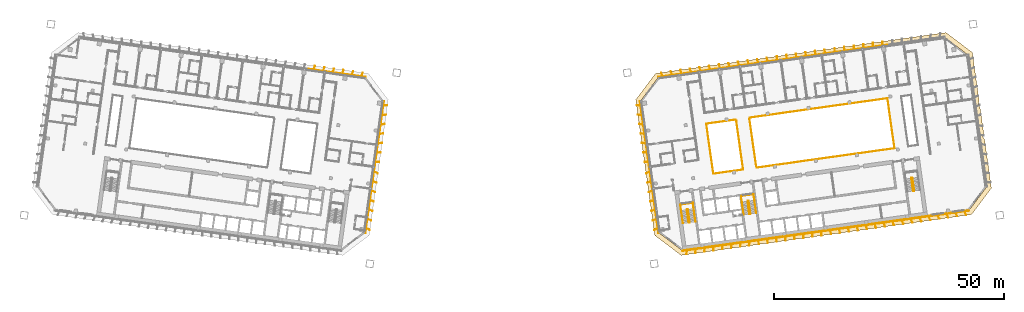
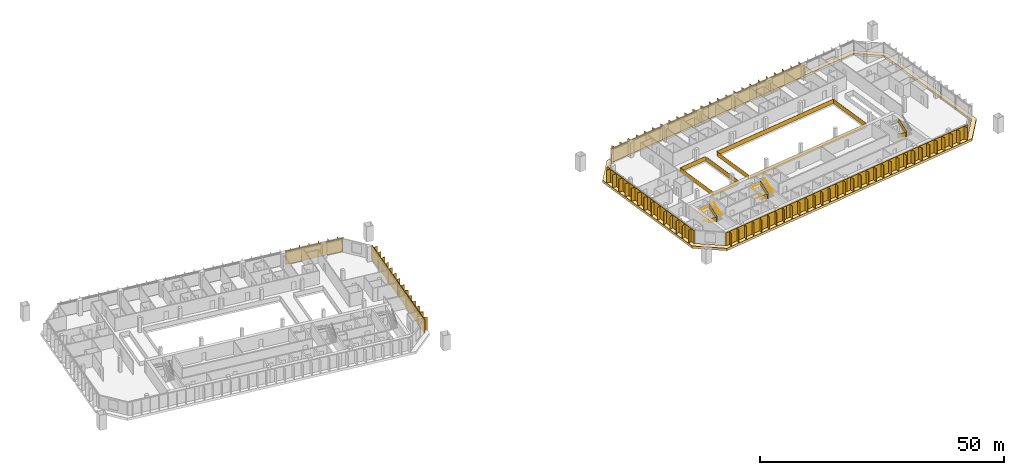
# One storey, part 25 of 26: 13 shading devices, 9 railings, 1 covering.
"""IFC4 building model written with IfcOpenShell, lengths in metres."""

from ifc_helpers import new_model, si_unit, direction, frame, origin, origin_2d, place, context, subcontext, project, spatial, polyline, rectangle, outline, extrude, material, layer, layer_set, type_object, element, save


model = new_model("IFC4")

# Units and contexts
model_context = context("Model", 3, precision=1e-05, world=origin(), true_north=direction((0.0, 1.0)))
body_context = subcontext(model_context, "Body", "Model", "MODEL_VIEW")
ifc_project = project(units=[si_unit("LENGTHUNIT", "METRE"), si_unit("AREAUNIT", "SQUARE_METRE"), si_unit("VOLUMEUNIT", "CUBIC_METRE"), si_unit("PLANEANGLEUNIT", "RADIAN"), si_unit("MASSUNIT", "GRAM", prefix="KILO")], contexts=[model_context])

# Site, building, storey
site_placement = place(None, origin())
site = spatial("IfcSite", under=ifc_project, at=site_placement, CompositionType="ELEMENT")
building_placement = place(site_placement, origin())
building = spatial("IfcBuilding", under=site, at=building_placement, Name="Mirante Cascada Hotel Towers", CompositionType="ELEMENT")
storey_placement = place(building_placement, frame((0.0, 0.0, 140.5)))
storey = spatial("IfcBuildingStorey", under=building, at=storey_placement, Name="L32", CompositionType="ELEMENT", Elevation=140.5)

# Railings
ifc_material_1 = material(Name="Toughened glass with stainless steel handrail", Category="steel")
railing_type_1 = type_object("IfcRailingType", Name="Atrium guard 1100 glass balustrade", PredefinedType="GUARDRAIL", material=ifc_material_1)
railing_1_placement = place(storey_placement, frame((48.76, 8.3112, 0.0)))
element("IfcRailing", 1, at=railing_1_placement, inside=storey, type_object=railing_type_1, Name="GUARD 2-L32-1", PredefinedType="GUARDRAIL", context=body_context, shape_type="SweptSolid", body=[
    extrude(rectangle(XDim=0.048, YDim=0.048, at=origin_2d()), frame((0.0, 0.0, 1.076), z_axis=(-0.9902694, -0.1391638, 0.0), x_axis=(0.1391638, -0.9902694, 0.0)), (0.0, 0.0, 1.0), 6.5125),
    extrude(rectangle(XDim=0.02, YDim=1.052, at=origin_2d()), frame((0.0, 0.0, 0.526), z_axis=(-0.9902694, -0.1391638, 0.0), x_axis=(0.1391638, -0.9902694, 0.0)), (0.0, 0.0, 1.0), 6.5125),
    extrude(rectangle(XDim=0.048, YDim=0.048, at=origin_2d()), frame((-6.4491, -0.9063, 1.076), z_axis=(0.1391721, -0.9902682, 0.0), x_axis=(0.9902682, 0.1391721, 0.0)), (0.0, 0.0, 1.0), 11.0001),
    extrude(rectangle(XDim=0.02, YDim=1.052, at=origin_2d()), frame((-6.4491, -0.9063, 0.526), z_axis=(0.1391721, -0.9902682, 0.0), x_axis=(0.9902682, 0.1391721, 0.0)), (0.0, 0.0, 1.0), 11.0001),
    extrude(rectangle(XDim=0.048, YDim=0.048, at=origin_2d()), frame((-4.9182, -11.7993, 1.076), z_axis=(0.9902673, 0.1391788, 0.0), x_axis=(-0.1391788, 0.9902673, 0.0)), (0.0, 0.0, 1.0), 6.5125),
    extrude(rectangle(XDim=0.02, YDim=1.052, at=origin_2d()), frame((-4.9182, -11.7993, 0.526), z_axis=(0.9902673, 0.1391788, 0.0), x_axis=(-0.1391788, 0.9902673, 0.0)), (0.0, 0.0, 1.0), 6.5125),
])
railing_2_placement = place(storey_placement, frame((53.2617, -2.1642, 0.0)))
element("IfcRailing", 2, at=railing_2_placement, inside=storey, type_object=railing_type_1, Name="GUARD 2-L32-2", PredefinedType="GUARDRAIL", context=body_context, shape_type="SweptSolid", body=[
    extrude(rectangle(XDim=0.048, YDim=0.048, at=origin_2d()), frame((0.0, 0.0, 1.076), z_axis=(0.9902682, 0.1391722, 0.0), x_axis=(-0.1391722, 0.9902682, 0.0)), (0.0, 0.0, 1.0), 30.325),
    extrude(rectangle(XDim=0.02, YDim=1.052, at=origin_2d()), frame((0.0, 0.0, 0.526), z_axis=(0.9902682, 0.1391722, 0.0), x_axis=(-0.1391722, 0.9902682, 0.0)), (0.0, 0.0, 1.0), 30.325),
    extrude(rectangle(XDim=0.048, YDim=0.048, at=origin_2d()), frame((30.0299, 4.2204, 1.076), z_axis=(-0.1391721, 0.9902682, 0.0), x_axis=(-0.9902682, -0.1391721, 0.0)), (0.0, 0.0, 1.0), 11.0001),
    extrude(rectangle(XDim=0.02, YDim=1.052, at=origin_2d()), frame((30.0299, 4.2204, 0.526), z_axis=(-0.1391721, 0.9902682, 0.0), x_axis=(-0.9902682, -0.1391721, 0.0)), (0.0, 0.0, 1.0), 11.0001),
    extrude(rectangle(XDim=0.048, YDim=0.048, at=origin_2d()), frame((28.499, 15.1134, 1.076), z_axis=(-0.9902682, -0.1391722, 0.0), x_axis=(0.1391722, -0.9902682, 0.0)), (0.0, 0.0, 1.0), 30.325),
    extrude(rectangle(XDim=0.02, YDim=1.052, at=origin_2d()), frame((28.499, 15.1134, 0.526), z_axis=(-0.9902682, -0.1391722, 0.0), x_axis=(0.1391722, -0.9902682, 0.0)), (0.0, 0.0, 1.0), 30.325),
])
railing_3_placement = place(storey_placement, frame((50.2983, -2.2822, 0.0)))
element("IfcRailing", 3, at=railing_3_placement, inside=storey, type_object=railing_type_1, Name="GUARD 2-L32-4", PredefinedType="GUARDRAIL", context=body_context, shape_type="SweptSolid", body=[
    extrude(rectangle(XDim=0.048, YDim=0.048, at=origin_2d()), frame((0.0, 0.0, 1.076), z_axis=(-0.1391708, 0.9902684, 0.0), x_axis=(-0.9902684, -0.1391708, 0.0)), (0.0, 0.0, 1.0), 10.4088),
    extrude(rectangle(XDim=0.02, YDim=1.052, at=origin_2d()), frame((0.0, 0.0, 0.526), z_axis=(-0.1391708, 0.9902684, 0.0), x_axis=(-0.9902684, -0.1391708, 0.0)), (0.0, 0.0, 1.0), 10.4088),
])
railing_4_placement = place(storey_placement, frame((51.7234, 8.4292, 0.0)))
element("IfcRailing", 4, at=railing_4_placement, inside=storey, type_object=railing_type_1, Name="GUARD 2-L32-5", PredefinedType="GUARDRAIL", context=body_context, shape_type="SweptSolid", body=[
    extrude(rectangle(XDim=0.048, YDim=0.048, at=origin_2d()), frame((0.0, 0.0, 1.076), z_axis=(0.1391721, -0.9902682, 0.0), x_axis=(0.9902682, 0.1391721, 0.0)), (0.0, 0.0, 1.0), 10.4087),
    extrude(rectangle(XDim=0.02, YDim=1.052, at=origin_2d()), frame((0.0, 0.0, 0.526), z_axis=(0.1391721, -0.9902682, 0.0), x_axis=(0.9902682, 0.1391721, 0.0)), (0.0, 0.0, 1.0), 10.4087),
])

# Covering
ifc_material_2 = material(Name="Precast concrete C40/50 white", Category="concrete")
ifc_layer = layer(ifc_material_2, 0.6)
ifc_layer_set = layer_set([ifc_layer], Name="Precast concrete SUNSHADE band 1000x600")
covering_type = type_object("IfcCoveringType", Name="Precast concrete SUNSHADE band 1000x600", PredefinedType="CLADDING", material=ifc_layer_set)
covering_placement = place(storey_placement, frame((0.0, 0.0, -0.45)))
element("IfcCovering", 5, at=covering_placement, inside=storey, type_object=covering_type, Name="Precast concrete SUNSHADE band T2 L32", PredefinedType="CLADDING", context=body_context, shape_type="SweptSolid", body=[
    extrude(outline(polyline([(26.9341, 12.6299), (31.2626, 18.374), (94.4698, 27.2572), (100.2139, 22.9287), (101.7167, 12.2359), (101.7081, 12.2295), (101.673, 12.198), (101.6413, 12.1633), (101.6131, 12.1255), (101.5887, 12.0852), (101.5684, 12.0427), (101.5524, 11.9984), (101.5407, 11.9528), (101.5337, 11.9062), (101.5312, 11.8592), (101.5333, 11.8121), (101.5557, 11.5756), (101.5624, 11.529), (101.5737, 11.4833), (101.5894, 11.4389), (101.6094, 11.3962), (101.6335, 11.3557), (101.6614, 11.3178), (101.6929, 11.2828), (101.7277, 11.251), (101.7654, 11.2228), (101.8057, 11.1984), (101.8482, 11.1781), (101.8663, 11.1716), (102.7129, 5.1477), (102.6973, 5.1364), (102.662, 5.1052), (102.63, 5.0707), (102.6015, 5.0332), (102.5768, 4.993), (102.5562, 4.9507), (102.5398, 4.9065), (102.5279, 4.861), (102.5204, 4.8144), (102.5176, 4.7674), (102.5193, 4.7204), (102.5257, 4.6737), (102.5694, 4.4402), (102.5803, 4.3944), (102.5956, 4.3498), (102.6153, 4.307), (102.639, 4.2664), (102.6667, 4.2282), (102.6979, 4.1929), (102.7324, 4.1609), (102.7699, 4.1324), (102.8101, 4.1077), (102.8524, 4.0871), (102.8625, 4.0834), (104.3652, -6.6094), (100.0367, -12.3535), (36.8295, -21.2367), (31.0854, -16.9082), (26.9341, 12.6299)]), holes=[polyline([(103.3173, -6.3384), (99.2813, 22.3794), (94.1988, 26.2093), (31.8119, 17.4414), (27.982, 12.3589), (32.018, -16.3589), (37.1005, -20.1888), (99.4874, -11.4209), (103.3173, -6.3384)])]), origin(), (0.0, 0.0, 1.0), 0.6),
])

# Railings
ifc_material_3 = material(Name="Painted steel", Category="steel")
railing_type_2 = type_object("IfcRailingType", Name="Stair guard 1100 steel balustrade", PredefinedType="GUARDRAIL", material=ifc_material_3)
railing_5_placement = place(storey_placement, frame((38.2663, -11.2395, 0.0)))
element("IfcRailing", 6, at=railing_5_placement, inside=storey, type_object=railing_type_2, Name="L32 ST2-A stair guard 1", PredefinedType="GUARDRAIL", context=body_context, shape_type="SweptSolid", body=[
    extrude(rectangle(XDim=0.048, YDim=0.048, at=origin_2d()), frame((0.0, 0.0, 1.076), z_axis=(-0.9903326, -0.1387133, 0.0), x_axis=(0.1387133, -0.9903326, 0.0)), (0.0, 0.0, 1.0), 0.1499),
    extrude(rectangle(XDim=0.02, YDim=1.052, at=origin_2d()), frame((0.0, 0.0, 0.526), z_axis=(-0.9903326, -0.1387133, 0.0), x_axis=(0.1387133, -0.9903326, 0.0)), (0.0, 0.0, 1.0), 0.1499),
    extrude(rectangle(XDim=0.048, YDim=0.048, at=origin_2d()), frame((-0.1485, -0.0208, 1.076), z_axis=(-0.6020331, -0.7984711, 0.0), x_axis=(0.7984711, -0.6020331, 0.0)), (0.0, 0.9253398, 0.3791387), 0.1866),
    extrude(rectangle(XDim=0.02, YDim=1.052, at=origin_2d()), frame((-0.1485, -0.0208, 0.526), z_axis=(-0.6020331, -0.7984711, 0.0), x_axis=(0.7984711, -0.6020331, 0.0)), (0.0, 0.9253398, 0.3791387), 0.1866),
    extrude(rectangle(XDim=0.048, YDim=0.048, at=origin_2d()), frame((-0.1911, -0.0773, 1.2487), z_axis=(0.139176, -0.9902677, 0.0), x_axis=(0.9902677, 0.139176, 0.0)), (0.0, 0.5250212, 0.8510891), 3.29),
    extrude(rectangle(XDim=0.02, YDim=1.052, at=origin_2d()), frame((-0.1911, -0.0773, 0.6987), z_axis=(0.139176, -0.9902677, 0.0), x_axis=(0.9902677, 0.139176, 0.0)), (0.0, 0.5250212, 0.8510891), 3.29),
    extrude(rectangle(XDim=0.048, YDim=0.048, at=origin_2d()), frame((0.1986, -2.8501, 2.976), z_axis=(0.9944948, -0.1047858, 0.0), x_axis=(0.1047858, 0.9944948, 0.0)), (0.0, 0.0, 1.0), 0.2061),
    extrude(rectangle(XDim=0.02, YDim=1.052, at=origin_2d()), frame((0.1986, -2.8501, 2.426), z_axis=(0.9944948, -0.1047858, 0.0), x_axis=(0.1047858, 0.9944948, 0.0)), (0.0, 0.0, 1.0), 0.2061),
    extrude(rectangle(XDim=0.048, YDim=0.048, at=origin_2d()), frame((0.4036, -2.8717, 2.976), z_axis=(-0.9902408, -0.1393672, 0.0), x_axis=(0.1393672, -0.9902408, 0.0)), (0.0, 0.0, 1.0), 0.15),
    extrude(rectangle(XDim=0.02, YDim=1.052, at=origin_2d()), frame((0.4036, -2.8717, 2.426), z_axis=(-0.9902408, -0.1393672, 0.0), x_axis=(0.1393672, -0.9902408, 0.0)), (0.0, 0.0, 1.0), 0.15),
    extrude(rectangle(XDim=0.048, YDim=0.048, at=origin_2d()), frame((0.2551, -2.8926, 2.976), z_axis=(0.9270311, 0.3749843, 0.0), x_axis=(-0.3749843, 0.9270311, 0.0)), (0.0, 0.6421903, 0.7665452), 0.2689),
    extrude(rectangle(XDim=0.02, YDim=1.052, at=origin_2d()), frame((0.2551, -2.8926, 2.426), z_axis=(0.9270311, 0.3749843, 0.0), x_axis=(-0.3749843, 0.9270311, 0.0)), (0.0, 0.6421903, 0.7665452), 0.2689),
    extrude(rectangle(XDim=0.048, YDim=0.048, at=origin_2d()), frame((0.4462, -2.8153, 3.1487), z_axis=(-0.139176, 0.9902677, 0.0), x_axis=(-0.9902677, -0.139176, 0.0)), (0.0, 0.5250212, 0.8510891), 3.29),
    extrude(rectangle(XDim=0.02, YDim=1.052, at=origin_2d()), frame((0.4462, -2.8153, 2.5987), z_axis=(-0.139176, 0.9902677, 0.0), x_axis=(-0.9902677, -0.139176, 0.0)), (0.0, 0.5250212, 0.8510891), 3.29),
])
railing_6_placement = place(storey_placement, frame((51.4864, -9.3815, 0.0)))
element("IfcRailing", 7, at=railing_6_placement, inside=storey, type_object=railing_type_2, Name="L32 ST2-B stair guard 1", PredefinedType="GUARDRAIL", context=body_context, shape_type="SweptSolid", body=[
    extrude(rectangle(XDim=0.048, YDim=0.048, at=origin_2d()), frame((0.0, 0.0, 1.076), z_axis=(-0.9902408, -0.1393672, 0.0), x_axis=(0.1393672, -0.9902408, 0.0)), (0.0, 0.0, 1.0), 0.15),
    extrude(rectangle(XDim=0.02, YDim=1.052, at=origin_2d()), frame((0.0, 0.0, 0.526), z_axis=(-0.9902408, -0.1393672, 0.0), x_axis=(0.1393672, -0.9902408, 0.0)), (0.0, 0.0, 1.0), 0.15),
    extrude(rectangle(XDim=0.048, YDim=0.048, at=origin_2d()), frame((-0.1485, -0.0209, 1.076), z_axis=(-0.6020331, -0.7984711, 0.0), x_axis=(0.7984711, -0.6020331, 0.0)), (0.0, 0.9253398, 0.3791387), 0.1866),
    extrude(rectangle(XDim=0.02, YDim=1.052, at=origin_2d()), frame((-0.1485, -0.0209, 0.526), z_axis=(-0.6020331, -0.7984711, 0.0), x_axis=(0.7984711, -0.6020331, 0.0)), (0.0, 0.9253398, 0.3791387), 0.1866),
    extrude(rectangle(XDim=0.048, YDim=0.048, at=origin_2d()), frame((-0.1911, -0.0774, 1.2487), z_axis=(0.139181, -0.990267, 0.0), x_axis=(0.990267, 0.139181, 0.0)), (0.0, 0.5250347, 0.8510808), 3.2899),
    extrude(rectangle(XDim=0.02, YDim=1.052, at=origin_2d()), frame((-0.1911, -0.0774, 0.6987), z_axis=(0.139181, -0.990267, 0.0), x_axis=(0.990267, 0.139181, 0.0)), (0.0, 0.5250347, 0.8510808), 3.2899),
    extrude(rectangle(XDim=0.048, YDim=0.048, at=origin_2d()), frame((0.1986, -2.8501, 2.976), z_axis=(0.9944441, -0.1052656, 0.0), x_axis=(0.1052656, 0.9944441, 0.0)), (0.0, 0.0, 1.0), 0.2061),
    extrude(rectangle(XDim=0.02, YDim=1.052, at=origin_2d()), frame((0.1986, -2.8501, 2.426), z_axis=(0.9944441, -0.1052656, 0.0), x_axis=(0.1052656, 0.9944441, 0.0)), (0.0, 0.0, 1.0), 0.2061),
    extrude(rectangle(XDim=0.048, YDim=0.048, at=origin_2d()), frame((0.4036, -2.8718, 2.976), z_axis=(-0.9902408, -0.1393672, 0.0), x_axis=(0.1393672, -0.9902408, 0.0)), (0.0, 0.0, 1.0), 0.15),
    extrude(rectangle(XDim=0.02, YDim=1.052, at=origin_2d()), frame((0.4036, -2.8718, 2.426), z_axis=(-0.9902408, -0.1393672, 0.0), x_axis=(0.1393672, -0.9902408, 0.0)), (0.0, 0.0, 1.0), 0.15),
    extrude(rectangle(XDim=0.048, YDim=0.048, at=origin_2d()), frame((0.2551, -2.8927, 2.976), z_axis=(0.9268624, 0.3754011, 0.0), x_axis=(-0.3754011, 0.9268624, 0.0)), (0.0, 0.6421217, 0.7666028), 0.269),
    extrude(rectangle(XDim=0.02, YDim=1.052, at=origin_2d()), frame((0.2551, -2.8927, 2.426), z_axis=(0.9268624, 0.3754011, 0.0), x_axis=(-0.3754011, 0.9268624, 0.0)), (0.0, 0.6421217, 0.7666028), 0.269),
    extrude(rectangle(XDim=0.048, YDim=0.048, at=origin_2d()), frame((0.4462, -2.8153, 3.1487), z_axis=(-0.139181, 0.990267, 0.0), x_axis=(-0.990267, -0.139181, 0.0)), (0.0, 0.5250347, 0.8510808), 3.2899),
    extrude(rectangle(XDim=0.02, YDim=1.052, at=origin_2d()), frame((0.4462, -2.8153, 2.5987), z_axis=(-0.139181, 0.990267, 0.0), x_axis=(-0.990267, -0.139181, 0.0)), (0.0, 0.5250347, 0.8510808), 3.2899),
])
railing_7_placement = place(storey_placement, frame((87.1361, -4.3713, 0.0)))
element("IfcRailing", 8, at=railing_7_placement, inside=storey, type_object=railing_type_2, Name="L32 ST2-C stair guard 1", PredefinedType="GUARDRAIL", context=body_context, shape_type="SweptSolid", body=[
    extrude(rectangle(XDim=0.048, YDim=0.048, at=origin_2d()), frame((0.0, 0.0, 1.076), z_axis=(-0.9902537, -0.1392753, 0.0), x_axis=(0.1392753, -0.9902537, 0.0)), (0.0, 0.0, 1.0), 0.1501),
    extrude(rectangle(XDim=0.02, YDim=1.052, at=origin_2d()), frame((0.0, 0.0, 0.526), z_axis=(-0.9902537, -0.1392753, 0.0), x_axis=(0.1392753, -0.9902537, 0.0)), (0.0, 0.0, 1.0), 0.1501),
    extrude(rectangle(XDim=0.048, YDim=0.048, at=origin_2d()), frame((-0.1486, -0.0209, 1.076), z_axis=(-0.601811, -0.7986386, 0.0), x_axis=(0.7986386, -0.601811, 0.0)), (0.0, 0.925603, 0.3784959), 0.1866),
    extrude(rectangle(XDim=0.02, YDim=1.052, at=origin_2d()), frame((-0.1486, -0.0209, 0.526), z_axis=(-0.601811, -0.7986386, 0.0), x_axis=(0.7986386, -0.601811, 0.0)), (0.0, 0.925603, 0.3784959), 0.1866),
    extrude(rectangle(XDim=0.048, YDim=0.048, at=origin_2d()), frame((-0.1911, -0.0773, 1.2487), z_axis=(0.139176, -0.9902677, 0.0), x_axis=(0.9902677, 0.139176, 0.0)), (0.0, 0.5250212, 0.8510891), 3.29),
    extrude(rectangle(XDim=0.02, YDim=1.052, at=origin_2d()), frame((-0.1911, -0.0773, 0.6987), z_axis=(0.139176, -0.9902677, 0.0), x_axis=(0.9902677, 0.139176, 0.0)), (0.0, 0.5250212, 0.8510891), 3.29),
    extrude(rectangle(XDim=0.048, YDim=0.048, at=origin_2d()), frame((0.1986, -2.8501, 2.976), z_axis=(0.9944441, -0.1052656, 0.0), x_axis=(0.1052656, 0.9944441, 0.0)), (0.0, 0.0, 1.0), 0.2061),
    extrude(rectangle(XDim=0.02, YDim=1.052, at=origin_2d()), frame((0.1986, -2.8501, 2.426), z_axis=(0.9944441, -0.1052656, 0.0), x_axis=(0.1052656, 0.9944441, 0.0)), (0.0, 0.0, 1.0), 0.2061),
    extrude(rectangle(XDim=0.048, YDim=0.048, at=origin_2d()), frame((0.4036, -2.8718, 2.976), z_axis=(-0.9903454, -0.1386217, 0.0), x_axis=(0.1386217, -0.9903454, 0.0)), (0.0, 0.0, 1.0), 0.15),
    extrude(rectangle(XDim=0.02, YDim=1.052, at=origin_2d()), frame((0.4036, -2.8718, 2.426), z_axis=(-0.9903454, -0.1386217, 0.0), x_axis=(0.1386217, -0.9903454, 0.0)), (0.0, 0.0, 1.0), 0.15),
    extrude(rectangle(XDim=0.048, YDim=0.048, at=origin_2d()), frame((0.255, -2.8926, 2.976), z_axis=(0.9270311, 0.3749843, 0.0), x_axis=(-0.3749843, 0.9270311, 0.0)), (0.0, 0.6421903, 0.7665452), 0.2689),
    extrude(rectangle(XDim=0.02, YDim=1.052, at=origin_2d()), frame((0.255, -2.8926, 2.426), z_axis=(0.9270311, 0.3749843, 0.0), x_axis=(-0.3749843, 0.9270311, 0.0)), (0.0, 0.6421903, 0.7665452), 0.2689),
    extrude(rectangle(XDim=0.048, YDim=0.048, at=origin_2d()), frame((0.4461, -2.8153, 3.1487), z_axis=(-0.139176, 0.9902677, 0.0), x_axis=(-0.9902677, -0.139176, 0.0)), (0.0, 0.5250212, 0.8510891), 3.29),
    extrude(rectangle(XDim=0.02, YDim=1.052, at=origin_2d()), frame((0.4461, -2.8153, 2.5987), z_axis=(-0.139176, 0.9902677, 0.0), x_axis=(-0.9902677, -0.139176, 0.0)), (0.0, 0.5250212, 0.8510891), 3.29),
])
ifc_material_4 = material(Name="Painted steel", Category="steel")
railing_type_3 = type_object("IfcRailingType", Name="Stair handrail 900 steel tube", PredefinedType="HANDRAIL", material=ifc_material_4)
railing_8_placement = place(storey_placement, frame((36.8374, -11.4908, 0.1727)))
element("IfcRailing", 9, at=railing_8_placement, inside=storey, type_object=railing_type_3, Name="L32 ST2-A stair handrail 1", PredefinedType="HANDRAIL", context=body_context, shape_type="SweptSolid", body=[
    extrude(rectangle(XDim=0.048, YDim=0.048, at=origin_2d()), frame((0.0, 0.0, 0.876), z_axis=(0.139181, -0.990267, 0.0), x_axis=(0.990267, 0.139181, 0.0)), (0.0, 0.5250347, 0.8510808), 3.2899),
    extrude(rectangle(XDim=0.048, YDim=0.048, at=origin_2d()), frame((0.3897, -2.7727, 2.6033), z_axis=(-0.1391707, 0.9902684, 0.0), x_axis=(-0.9902684, -0.1391707, 0.0)), (0.0, 0.0420846, 0.999114), 4.1036),
    extrude(rectangle(XDim=0.048, YDim=0.048, at=origin_2d()), frame((-0.1809, 1.2874, 2.776), z_axis=(0.9902691, 0.1391657, 0.0), x_axis=(-0.1391657, 0.9902691, 0.0)), (0.0, 0.0, 1.0), 2.75),
    extrude(rectangle(XDim=0.048, YDim=0.048, at=origin_2d()), frame((2.5423, 1.6701, 2.776), z_axis=(0.1391707, -0.9902684, 0.0), x_axis=(0.9902684, 0.1391707, 0.0)), (0.0, 0.0, 1.0), 4.1),
    extrude(rectangle(XDim=0.048, YDim=0.048, at=origin_2d()), frame((3.1129, -2.39, 2.776), z_axis=(-0.139181, 0.990267, 0.0), x_axis=(-0.990267, -0.139181, 0.0)), (0.0, 0.5250347, 0.8510808), 3.2899),
])
railing_9_placement = place(storey_placement, frame((50.0575, -9.6328, 0.1727)))
element("IfcRailing", 10, at=railing_9_placement, inside=storey, type_object=railing_type_3, Name="L32 ST2-B stair handrail 1", PredefinedType="HANDRAIL", context=body_context, shape_type="SweptSolid", body=[
    extrude(rectangle(XDim=0.048, YDim=0.048, at=origin_2d()), frame((0.0, 0.0, 0.876), z_axis=(0.139176, -0.9902677, 0.0), x_axis=(0.9902677, 0.139176, 0.0)), (0.0, 0.5250212, 0.8510891), 3.29),
    extrude(rectangle(XDim=0.048, YDim=0.048, at=origin_2d()), frame((0.3897, -2.7728, 2.6033), z_axis=(-0.1391707, 0.9902684, 0.0), x_axis=(-0.9902684, -0.1391707, 0.0)), (0.0, 0.0420846, 0.999114), 4.1036),
    extrude(rectangle(XDim=0.048, YDim=0.048, at=origin_2d()), frame((-0.1809, 1.2873, 2.776), z_axis=(0.9902641, 0.1392013, 0.0), x_axis=(-0.1392013, 0.9902641, 0.0)), (0.0, 0.0, 1.0), 2.75),
    extrude(rectangle(XDim=0.048, YDim=0.048, at=origin_2d()), frame((2.5423, 1.6701, 2.776), z_axis=(0.1391707, -0.9902684, 0.0), x_axis=(0.9902684, 0.1391707, 0.0)), (0.0, 0.0, 1.0), 4.1),
    extrude(rectangle(XDim=0.048, YDim=0.048, at=origin_2d()), frame((3.1129, -2.39, 2.776), z_axis=(-0.139181, 0.990267, 0.0), x_axis=(-0.990267, -0.139181, 0.0)), (0.0, 0.5250347, 0.8510808), 3.2899),
])

# Shading devices
ifc_material_5 = material(Name="White precast concrete C50/60 fin", Category="concrete")
shading_device_type = type_object("IfcShadingDeviceType", Name="Vertical fin set 4500x900", PredefinedType="USERDEFINED", material=ifc_material_5)
shading_device_1_placement = place(storey_placement, origin())
element("IfcShadingDevice", 11, at=shading_device_1_placement, inside=storey, type_object=shading_device_type, Name="FIN T1 L32 front 5", ObjectType="FIN", PredefinedType="USERDEFINED", context=body_context, shape_type="SweptSolid", body=[
    extrude(outline(polyline([(-32.4493, 18.4994), (-32.7765, 17.7284), (-31.791, 17.5899), (-31.8119, 17.4414), (-44.2893, 19.195), (-44.2684, 19.3435), (-43.2564, 19.2013), (-42.9208, 19.9919), (-42.8471, 19.9607), (-43.1744, 19.1897), (-41.1768, 18.909), (-40.8412, 19.6997), (-40.7676, 19.6684), (-41.0948, 18.8975), (-39.0973, 18.6167), (-38.7616, 19.4074), (-38.688, 19.3761), (-39.0152, 18.6052), (-37.0177, 18.3245), (-36.6821, 19.1151), (-36.6084, 19.0839), (-36.9357, 18.3129), (-34.9381, 18.0322), (-34.6025, 18.8229), (-34.5289, 18.7916), (-34.8561, 18.0207), (-32.8586, 17.7399), (-32.5229, 18.5306), (-32.4493, 18.4994)])), origin(), (0.0, 0.0, 1.0), 3.35),
])
shading_device_2_placement = place(storey_placement, origin())
element("IfcShadingDevice", 12, at=shading_device_2_placement, inside=storey, type_object=shading_device_type, Name="FIN T1 L32 inner 1", ObjectType="FIN", PredefinedType="USERDEFINED", context=body_context, shape_type="SweptSolid", body=[
    extrude(outline(polyline([(-29.7112, -1.023), (-29.8515, -2.0209), (-30.0, -2.0), (-27.982, 12.3589), (-27.8334, 12.338), (-27.97, 11.3667), (-27.1387, 11.4687), (-27.1289, 11.3893), (-27.9815, 11.2846), (-28.2583, 9.3154), (-27.427, 9.4174), (-27.4172, 9.338), (-28.2698, 9.2334), (-28.5465, 7.2641), (-27.7153, 7.3662), (-27.7055, 7.2868), (-28.5581, 7.1821), (-28.8348, 5.2128), (-28.0036, 5.3149), (-27.9938, 5.2355), (-28.8464, 5.1308), (-29.1231, 3.1616), (-28.2918, 3.2636), (-28.2821, 3.1842), (-29.1346, 3.0796), (-29.4114, 1.1103), (-28.5801, 1.2124), (-28.5704, 1.133), (-29.4229, 1.0283), (-29.6997, -0.941), (-28.8684, -0.8389), (-28.8587, -0.9183), (-29.7112, -1.023)])), origin(), (0.0, 0.0, 1.0), 3.35),
])
shading_device_3_placement = place(storey_placement, origin())
element("IfcShadingDevice", 13, at=shading_device_3_placement, inside=storey, type_object=shading_device_type, Name="FIN T1 L32 inner 2", ObjectType="FIN", PredefinedType="USERDEFINED", context=body_context, shape_type="SweptSolid", body=[
    extrude(outline(polyline([(-31.733, -15.4084), (-31.8695, -16.3798), (-32.018, -16.3589), (-30.0, -2.0), (-29.8515, -2.0209), (-29.9917, -3.0188), (-29.201, -3.3544), (-29.2323, -3.428), (-30.0032, -3.1008), (-30.28, -5.07), (-29.4893, -5.4057), (-29.5206, -5.4793), (-30.2915, -5.1521), (-30.5683, -7.1213), (-29.7776, -7.4569), (-29.8089, -7.5306), (-30.5798, -7.2033), (-30.8566, -9.1726), (-30.0659, -9.5082), (-30.0972, -9.5818), (-30.8681, -9.2546), (-31.1449, -11.2238), (-30.3542, -11.5595), (-30.3854, -11.6331), (-31.1564, -11.3059), (-31.4331, -13.2751), (-30.6425, -13.6107), (-30.6737, -13.6844), (-31.4447, -13.3571), (-31.7214, -15.3264), (-30.9308, -15.662), (-30.962, -15.7356), (-31.733, -15.4084)])), origin(), (0.0, 0.0, 1.0), 3.35),
])
shading_device_4_placement = place(storey_placement, origin())
element("IfcShadingDevice", 14, at=shading_device_4_placement, inside=storey, type_object=shading_device_type, Name="FIN T2 L32 front 2", ObjectType="FIN", PredefinedType="USERDEFINED", context=body_context, shape_type="SweptSolid", body=[
    extrude(outline(polyline([(70.3021, 23.8476), (70.3094, 23.0033), (72.3091, 23.2844), (72.3016, 24.1392), (72.3816, 24.1399), (72.389, 23.2956), (74.3886, 23.5766), (74.3812, 24.4314), (74.4612, 24.4321), (74.4686, 23.5878), (76.4682, 23.8689), (76.4608, 24.7237), (76.5407, 24.7244), (76.5481, 23.8801), (78.5478, 24.1611), (78.5403, 25.0159), (78.6203, 25.0166), (78.6277, 24.1724), (80.6273, 24.4534), (80.6199, 25.3082), (80.6999, 25.3089), (80.7072, 24.4646), (81.7006, 24.6042), (81.7214, 24.4557), (69.2441, 22.7021), (69.2232, 22.8507), (70.2295, 22.9921), (70.2221, 23.8469), (70.3021, 23.8476)])), origin(), (0.0, 0.0, 1.0), 3.35),
])
shading_device_5_placement = place(storey_placement, origin())
element("IfcShadingDevice", 15, at=shading_device_5_placement, inside=storey, type_object=shading_device_type, Name="FIN T2 L32 front 3", ObjectType="FIN", PredefinedType="USERDEFINED", context=body_context, shape_type="SweptSolid", body=[
    extrude(outline(polyline([(57.7069, 22.0905), (57.8252, 21.2488), (59.8255, 21.5299), (59.7072, 22.3716), (59.7865, 22.3828), (59.9048, 21.541), (61.9051, 21.8222), (61.7868, 22.6639), (61.866, 22.675), (61.9843, 21.8333), (63.9847, 22.1144), (63.8664, 22.9562), (63.9456, 22.9673), (64.0639, 22.1256), (66.0642, 22.4067), (65.9459, 23.2484), (66.0251, 23.2596), (66.1434, 22.4178), (68.1438, 22.699), (68.0255, 23.5407), (68.1047, 23.5518), (68.223, 22.7101), (69.2232, 22.8507), (69.2441, 22.7021), (56.7667, 20.9485), (56.7458, 21.0971), (57.746, 21.2376), (57.6277, 22.0794), (57.7069, 22.0905)])), origin(), (0.0, 0.0, 1.0), 3.35),
])
shading_device_6_placement = place(storey_placement, origin())
element("IfcShadingDevice", 16, at=shading_device_6_placement, inside=storey, type_object=shading_device_type, Name="FIN T2 L32 front 4", ObjectType="FIN", PredefinedType="USERDEFINED", context=body_context, shape_type="SweptSolid", body=[
    extrude(outline(polyline([(45.1132, 20.3181), (45.3416, 19.4943), (47.3413, 19.7754), (47.1157, 20.589), (47.1928, 20.6103), (47.4212, 19.7866), (49.4209, 20.0676), (49.1952, 20.8812), (49.2723, 20.9026), (49.5008, 20.0789), (51.5004, 20.3599), (51.2748, 21.1735), (51.3519, 21.1949), (51.5803, 20.3711), (53.58, 20.6521), (53.3544, 21.4657), (53.4314, 21.4871), (53.6599, 20.6634), (55.6595, 20.9444), (55.4339, 21.758), (55.511, 21.7794), (55.7394, 20.9556), (56.7458, 21.0971), (56.7667, 20.9485), (44.2893, 19.195), (44.2684, 19.3435), (45.2617, 19.4831), (45.0361, 20.2967), (45.1132, 20.3181)])), origin(), (0.0, 0.0, 1.0), 3.35),
])
shading_device_7_placement = place(storey_placement, origin())
element("IfcShadingDevice", 17, at=shading_device_7_placement, inside=storey, type_object=shading_device_type, Name="FIN T2 L32 front 5", ObjectType="FIN", PredefinedType="USERDEFINED", context=body_context, shape_type="SweptSolid", body=[
    extrude(outline(polyline([(32.5229, 18.5306), (32.8586, 17.7399), (34.8561, 18.0207), (34.5289, 18.7916), (34.6025, 18.8229), (34.9381, 18.0322), (36.9357, 18.3129), (36.6084, 19.0839), (36.6821, 19.1151), (37.0177, 18.3245), (39.0152, 18.6052), (38.688, 19.3761), (38.7616, 19.4074), (39.0973, 18.6167), (41.0948, 18.8975), (40.7676, 19.6684), (40.8412, 19.6997), (41.1768, 18.909), (43.1744, 19.1897), (42.8471, 19.9607), (42.9208, 19.9919), (43.2564, 19.2013), (44.2684, 19.3435), (44.2893, 19.195), (31.8119, 17.4414), (31.791, 17.5899), (32.7765, 17.7284), (32.4493, 18.4994), (32.5229, 18.5306)])), origin(), (0.0, 0.0, 1.0), 3.35),
])
shading_device_8_placement = place(storey_placement, origin())
element("IfcShadingDevice", 18, at=shading_device_8_placement, inside=storey, type_object=shading_device_type, Name="FIN T2 L32 inner 1", ObjectType="FIN", PredefinedType="USERDEFINED", context=body_context, shape_type="SweptSolid", body=[
    extrude(outline(polyline([(28.8684, -0.8389), (29.6997, -0.941), (29.4229, 1.0283), (28.5704, 1.133), (28.5801, 1.2124), (29.4114, 1.1103), (29.1346, 3.0796), (28.2821, 3.1842), (28.2918, 3.2636), (29.1231, 3.1616), (28.8464, 5.1308), (27.9938, 5.2355), (28.0036, 5.3149), (28.8348, 5.2128), (28.5581, 7.1821), (27.7055, 7.2868), (27.7153, 7.3662), (28.5465, 7.2641), (28.2698, 9.2334), (27.4172, 9.338), (27.427, 9.4174), (28.2583, 9.3154), (27.9815, 11.2846), (27.1289, 11.3893), (27.1387, 11.4687), (27.97, 11.3667), (27.8334, 12.338), (27.982, 12.3589), (30.0, -2.0), (29.8515, -2.0209), (29.7112, -1.023), (28.8587, -0.9183), (28.8684, -0.8389)])), origin(), (0.0, 0.0, 1.0), 3.35),
])
shading_device_9_placement = place(storey_placement, origin())
element("IfcShadingDevice", 19, at=shading_device_9_placement, inside=storey, type_object=shading_device_type, Name="FIN T2 L32 inner 2", ObjectType="FIN", PredefinedType="USERDEFINED", context=body_context, shape_type="SweptSolid", body=[
    extrude(outline(polyline([(30.9308, -15.662), (31.7214, -15.3264), (31.4447, -13.3571), (30.6737, -13.6844), (30.6425, -13.6107), (31.4331, -13.2751), (31.1564, -11.3059), (30.3854, -11.6331), (30.3542, -11.5595), (31.1449, -11.2238), (30.8681, -9.2546), (30.0972, -9.5818), (30.0659, -9.5082), (30.8566, -9.1726), (30.5798, -7.2033), (29.8089, -7.5306), (29.7776, -7.4569), (30.5683, -7.1213), (30.2915, -5.1521), (29.5206, -5.4793), (29.4893, -5.4057), (30.28, -5.07), (30.0032, -3.1008), (29.2323, -3.428), (29.201, -3.3544), (29.9917, -3.0188), (29.8515, -2.0209), (30.0, -2.0), (32.018, -16.3589), (31.8695, -16.3798), (31.733, -15.4084), (30.962, -15.7356), (30.9308, -15.662)])), origin(), (0.0, 0.0, 1.0), 3.35),
])
shading_device_10_placement = place(storey_placement, origin())
element("IfcShadingDevice", 20, at=shading_device_10_placement, inside=storey, type_object=shading_device_type, Name="FIN T2 L32 rear 1", ObjectType="FIN", PredefinedType="USERDEFINED", context=body_context, shape_type="SweptSolid", body=[
    extrude(outline(polyline([(37.9398, -21.0393), (38.0419, -20.208), (37.1214, -20.3374), (37.1005, -20.1888), (52.6972, -17.9968), (52.7181, -18.1454), (51.771, -18.2785), (51.6664, -19.131), (51.587, -19.1213), (51.689, -18.29), (49.8214, -18.5525), (49.7168, -19.405), (49.6374, -19.3953), (49.7394, -18.564), (47.8719, -18.8265), (47.7672, -19.679), (47.6878, -19.6693), (47.7898, -18.838), (45.9223, -19.1005), (45.8176, -19.953), (45.7382, -19.9433), (45.8403, -19.112), (43.9727, -19.3745), (43.868, -20.227), (43.7886, -20.2173), (43.8907, -19.386), (42.0231, -19.6485), (41.9184, -20.501), (41.839, -20.4913), (41.9411, -19.66), (40.0735, -19.9225), (39.9688, -20.775), (39.8894, -20.7653), (39.9915, -19.934), (38.1239, -20.1965), (38.0192, -21.049), (37.9398, -21.0393)])), origin(), (0.0, 0.0, 1.0), 3.35),
])
shading_device_11_placement = place(storey_placement, origin())
element("IfcShadingDevice", 21, at=shading_device_11_placement, inside=storey, type_object=shading_device_type, Name="FIN T2 L32 rear 2", ObjectType="FIN", PredefinedType="USERDEFINED", context=body_context, shape_type="SweptSolid", body=[
    extrude(outline(polyline([(53.6931, -18.8597), (53.6488, -18.0146), (52.7181, -18.1454), (52.6972, -17.9968), (68.2939, -15.8049), (68.3148, -15.9534), (67.3755, -16.0854), (67.4201, -16.9376), (67.3402, -16.9417), (67.2959, -16.0966), (65.4259, -16.3594), (65.4705, -17.2116), (65.3906, -17.2157), (65.3463, -16.3706), (63.4763, -16.6334), (63.5209, -17.4856), (63.441, -17.4897), (63.3967, -16.6446), (61.5267, -16.9074), (61.5713, -17.7596), (61.4914, -17.7637), (61.4472, -16.9186), (59.5771, -17.1814), (59.6217, -18.0335), (59.5419, -18.0377), (59.4976, -17.1926), (57.6275, -17.4554), (57.6722, -18.3075), (57.5923, -18.3117), (57.548, -17.4666), (55.6779, -17.7294), (55.7226, -18.5815), (55.6427, -18.5857), (55.5984, -17.7406), (53.7283, -18.0034), (53.773, -18.8555), (53.6931, -18.8597)])), origin(), (0.0, 0.0, 1.0), 3.35),
])
shading_device_12_placement = place(storey_placement, origin())
element("IfcShadingDevice", 22, at=shading_device_12_placement, inside=storey, type_object=shading_device_type, Name="FIN T2 L32 rear 3", ObjectType="FIN", PredefinedType="USERDEFINED", context=body_context, shape_type="SweptSolid", body=[
    extrude(outline(polyline([(69.4461, -16.6528), (69.2542, -15.8214), (68.3148, -15.9534), (68.2939, -15.8049), (83.8907, -13.6129), (83.9115, -13.7614), (82.9808, -13.8922), (83.1712, -14.7168), (83.0933, -14.7348), (82.9013, -13.9034), (81.0312, -14.1662), (81.2216, -14.9908), (81.1437, -15.0088), (80.9517, -14.1774), (79.0817, -14.4402), (79.272, -15.2648), (79.1941, -15.2828), (79.0021, -14.4514), (77.1321, -14.7142), (77.3224, -15.5388), (77.2445, -15.5568), (77.0525, -14.7254), (75.1825, -14.9882), (75.3729, -15.8128), (75.2949, -15.8308), (75.103, -14.9994), (73.2329, -15.2622), (73.4233, -16.0868), (73.3453, -16.1048), (73.1534, -15.2734), (71.2833, -15.5362), (71.4737, -16.3608), (71.3957, -16.3788), (71.2038, -15.5474), (69.3337, -15.8102), (69.5241, -16.6348), (69.4461, -16.6528)])), origin(), (0.0, 0.0, 1.0), 3.35),
])
shading_device_13_placement = place(storey_placement, origin())
element("IfcShadingDevice", 23, at=shading_device_13_placement, inside=storey, type_object=shading_device_type, Name="FIN T2 L32 rear 4", ObjectType="FIN", PredefinedType="USERDEFINED", context=body_context, shape_type="SweptSolid", body=[
    extrude(outline(polyline([(85.1942, -14.419), (84.8586, -13.6283), (83.9115, -13.7614), (83.8907, -13.6129), (99.4874, -11.4209), (99.5083, -11.5694), (98.5877, -11.6988), (98.915, -12.4698), (98.8413, -12.501), (98.5057, -11.7103), (96.6381, -11.9728), (96.9654, -12.7438), (96.8918, -12.775), (96.5561, -11.9843), (94.6886, -12.2468), (95.0158, -13.0178), (94.9422, -13.049), (94.6065, -12.2583), (92.739, -12.5208), (93.0662, -13.2918), (92.9926, -13.323), (92.657, -12.5323), (90.7894, -12.7948), (91.1166, -13.5657), (91.043, -13.597), (90.7074, -12.8063), (88.8398, -13.0688), (89.167, -13.8397), (89.0934, -13.871), (88.7578, -13.0803), (86.8902, -13.3428), (87.2174, -14.1137), (87.1438, -14.145), (86.8082, -13.3543), (84.9406, -13.6168), (85.2679, -14.3877), (85.1942, -14.419)])), origin(), (0.0, 0.0, 1.0), 3.35),
])

save(model, "model.ifc")
